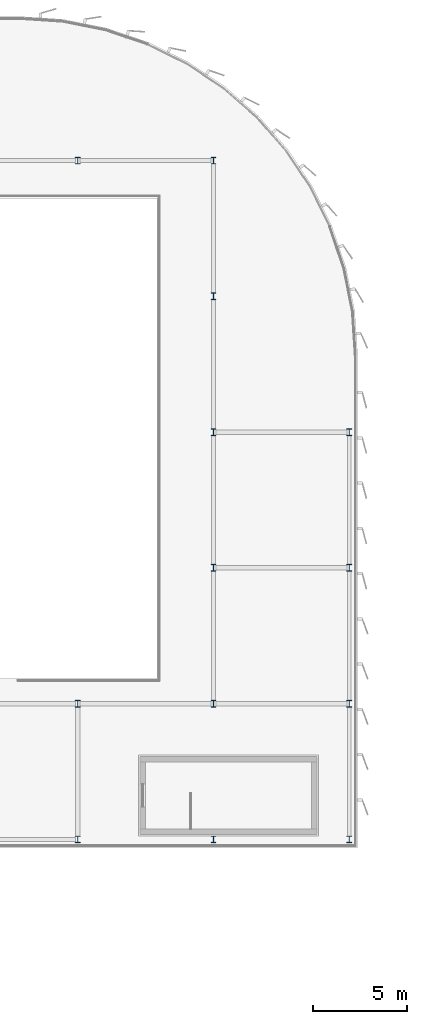
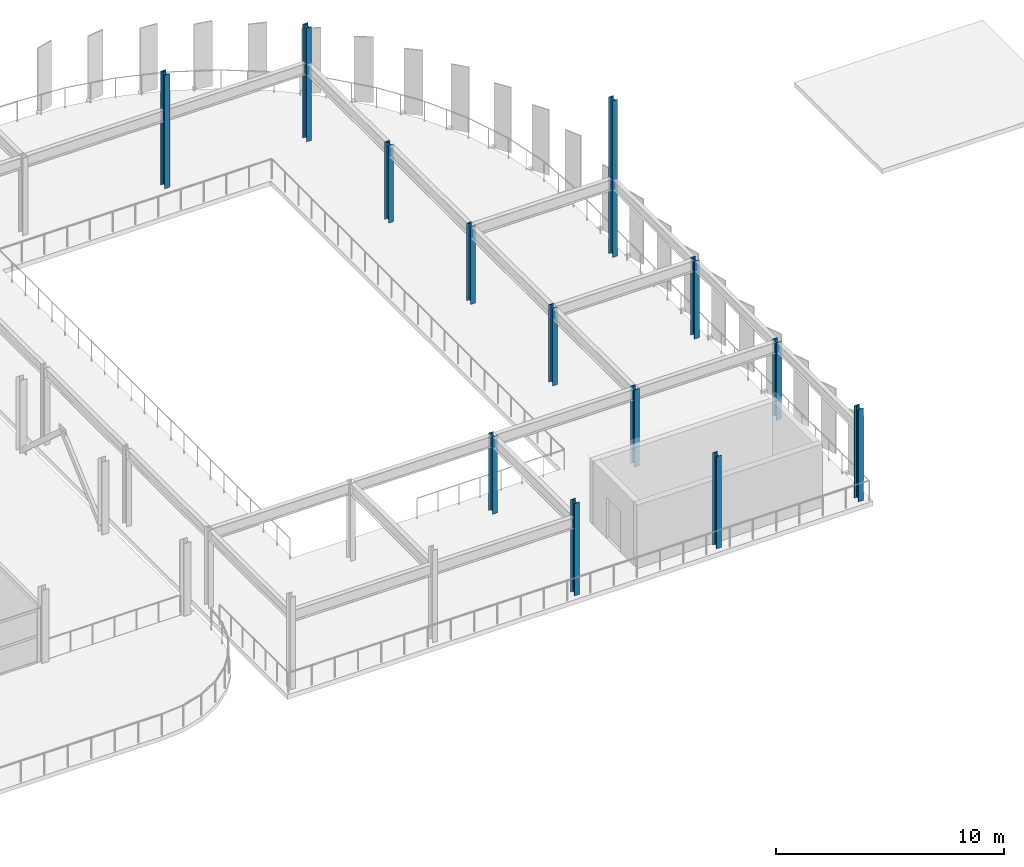
# One storey, part 11 of 40: 13 columns.
"""IFC4 building model written with IfcOpenShell, lengths in metres."""

from ifc_helpers import new_model, si_unit, direction, frame, origin, origin_2d, place, context, subcontext, project, spatial, i_section, extrude, material, material_profile, profile_set, type_object, element, save


model = new_model("IFC4")

# Units and contexts
model_context = context("Model", 3, precision=1e-05, world=origin(), true_north=direction((0.0, 1.0)))
body_context = subcontext(model_context, "Body", "Model", "MODEL_VIEW")
ifc_project = project(units=[si_unit("LENGTHUNIT", "METRE"), si_unit("AREAUNIT", "SQUARE_METRE"), si_unit("VOLUMEUNIT", "CUBIC_METRE"), si_unit("PLANEANGLEUNIT", "RADIAN"), si_unit("MASSUNIT", "GRAM", prefix="KILO")], contexts=[model_context])

# Site, building, storey
site_placement = place(None, origin())
site = spatial("IfcSite", under=ifc_project, at=site_placement, CompositionType="ELEMENT")
building_placement = place(site_placement, origin())
building = spatial("IfcBuilding", under=site, at=building_placement, Name="Vaelcorin Mobility Hub", CompositionType="ELEMENT")
storey_placement = place(building_placement, frame((0.0, 0.0, 17.10009765625)))
storey = spatial("IfcBuildingStorey", under=building, at=storey_placement, Name="L04", CompositionType="ELEMENT", Elevation=17.10009765625)

# Columns
ifc_material = material(Name="Steel ASTM A992 Grade 50", Category="steel")
ifc_material_profile = material_profile(ifc_material, i_section(OverallWidth=0.257080078125, OverallDepth=0.363037109375, WebThickness=0.012939453125, FlangeThickness=0.021728515625, FilletRadius=0.014892578125, at=origin_2d()), Name="W14X82")
ifc_profile_set = profile_set([ifc_material_profile], Name="Steel ASTM A992 Grade 50")
column_type = type_object("IfcColumnType", Name="COL-W14X82", PredefinedType="COLUMN", material=ifc_profile_set)
column_1_placement = place(storey_placement, frame((138.0, 76.800048828125, 0.0), z_axis=(0.0, 0.0, 1.0), x_axis=(1.0, 0.0, 0.0)))
element("IfcColumn", 1, at=column_1_placement, inside=storey, type_object=column_type, Name="Column V2E-G3x1 L04", PredefinedType="COLUMN", context=body_context, shape_type="SweptSolid", body=[
    extrude(i_section(OverallWidth=0.257080078125, OverallDepth=0.363037109375, WebThickness=0.012939453125, FlangeThickness=0.021728515625, FilletRadius=0.014892578125, at=origin_2d()), origin(), (0.0, 0.0, 1.0), 4.94384765625),
])
column_2_placement = place(storey_placement, frame((138.0, 84.0, 0.0), z_axis=(0.0, 0.0, 1.0), x_axis=(1.0, 0.0, 0.0)))
element("IfcColumn", 2, at=column_2_placement, inside=storey, type_object=column_type, Name="Column V2E-G3x2 L04", PredefinedType="COLUMN", context=body_context, shape_type="SweptSolid", body=[
    extrude(i_section(OverallWidth=0.257080078125, OverallDepth=0.363037109375, WebThickness=0.012939453125, FlangeThickness=0.021728515625, FilletRadius=0.014892578125, at=origin_2d()), origin(), (0.0, 0.0, 1.0), 4.14990234375),
])
column_3_placement = place(storey_placement, frame((138.0, 112.800048828125, 0.0), z_axis=(0.0, 0.0, 1.0), x_axis=(1.0, 0.0, 0.0)))
element("IfcColumn", 3, at=column_3_placement, inside=storey, type_object=column_type, Name="Column V2E-G3x6 L04", PredefinedType="COLUMN", context=body_context, shape_type="SweptSolid", body=[
    extrude(i_section(OverallWidth=0.257080078125, OverallDepth=0.363037109375, WebThickness=0.012939453125, FlangeThickness=0.021728515625, FilletRadius=0.014892578125, at=origin_2d()), origin(), (0.0, 0.0, 1.0), 6.095947265625),
])
column_4_placement = place(storey_placement, frame((145.199951171875, 76.800048828125, 0.0), z_axis=(0.0, 0.0, 1.0), x_axis=(1.0, 0.0, 0.0)))
element("IfcColumn", 4, at=column_4_placement, inside=storey, type_object=column_type, Name="Column V2E-G4x1 L04", PredefinedType="COLUMN", context=body_context, shape_type="SweptSolid", body=[
    extrude(i_section(OverallWidth=0.257080078125, OverallDepth=0.363037109375, WebThickness=0.012939453125, FlangeThickness=0.021728515625, FilletRadius=0.014892578125, at=origin_2d()), origin(), (0.0, 0.0, 1.0), 4.94384765625),
])
for number, where, z_axis, x_axis, name in (
    (5, (145.199951171875, 84.0, 0.0), (0.0, 0.0, 1.0), (1.0, 0.0, 0.0), "Column V2E-G4x2 L04"),
    (6, (145.199951171875, 91.199951171875, 0.0), (0.0, 0.0, 1.0), (1.0, 0.0, 0.0), "Column V2E-G4x3 L04"),
    (7, (145.199951171875, 98.39990234375, 0.0), (0.0, 0.0, 1.0), (1.0, 0.0, 0.0), "Column V2E-G4x4 L04"),
    (8, (145.199951171875, 105.60009765625, 0.0), (0.0, 0.0, 1.0), (1.0, 0.0, 0.0), "Column V2E-G4x5 L04"),
):
    element("IfcColumn", number, at=place(storey_placement, frame(where, z_axis=z_axis, x_axis=x_axis)), inside=storey, type_object=column_type, Name=name, PredefinedType="COLUMN", context=body_context, shape_type="SweptSolid", body=[
        extrude(i_section(OverallWidth=0.257080078125, OverallDepth=0.363037109375, WebThickness=0.012939453125, FlangeThickness=0.021728515625, FilletRadius=0.014892578125, at=origin_2d()), origin(), (0.0, 0.0, 1.0), 4.14990234375),
    ])
column_5_placement = place(storey_placement, frame((145.199951171875, 112.800048828125, 0.0), z_axis=(0.0, 0.0, 1.0), x_axis=(1.0, 0.0, 0.0)))
element("IfcColumn", 9, at=column_5_placement, inside=storey, type_object=column_type, Name="Column V2E-G4x6 L04", PredefinedType="COLUMN", context=body_context, shape_type="SweptSolid", body=[
    extrude(i_section(OverallWidth=0.257080078125, OverallDepth=0.363037109375, WebThickness=0.012939453125, FlangeThickness=0.021728515625, FilletRadius=0.014892578125, at=origin_2d()), origin(), (0.0, 0.0, 1.0), 6.095947265625),
])
column_6_placement = place(storey_placement, frame((152.39990234375, 76.800048828125, 0.0), z_axis=(0.0, 0.0, 1.0), x_axis=(1.0, 0.0, 0.0)))
element("IfcColumn", 10, at=column_6_placement, inside=storey, type_object=column_type, Name="Column V2E-G5x1 L04", PredefinedType="COLUMN", context=body_context, shape_type="SweptSolid", body=[
    extrude(i_section(OverallWidth=0.257080078125, OverallDepth=0.363037109375, WebThickness=0.012939453125, FlangeThickness=0.021728515625, FilletRadius=0.014892578125, at=origin_2d()), origin(), (0.0, 0.0, 1.0), 4.94384765625),
])
for number, where, z_axis, x_axis, name in (
    (11, (152.39990234375, 84.0, 0.0), (0.0, 0.0, 1.0), (1.0, 0.0, 0.0), "Column V2E-G5x2 L04"),
    (12, (152.39990234375, 91.199951171875, 0.0), (0.0, 0.0, 1.0), (1.0, 0.0, 0.0), "Column V2E-G5x3 L04"),
):
    element("IfcColumn", number, at=place(storey_placement, frame(where, z_axis=z_axis, x_axis=x_axis)), inside=storey, type_object=column_type, Name=name, PredefinedType="COLUMN", context=body_context, shape_type="SweptSolid", body=[
        extrude(i_section(OverallWidth=0.257080078125, OverallDepth=0.363037109375, WebThickness=0.012939453125, FlangeThickness=0.021728515625, FilletRadius=0.014892578125, at=origin_2d()), origin(), (0.0, 0.0, 1.0), 4.14990234375),
    ])
column_7_placement = place(storey_placement, frame((152.39990234375, 98.39990234375, 0.0), z_axis=(0.0, 0.0, 1.0), x_axis=(1.0, 0.0, 0.0)))
element("IfcColumn", 13, at=column_7_placement, inside=storey, type_object=column_type, Name="Column V2E-G5x4 L04", PredefinedType="COLUMN", context=body_context, shape_type="SweptSolid", body=[
    extrude(i_section(OverallWidth=0.257080078125, OverallDepth=0.363037109375, WebThickness=0.012939453125, FlangeThickness=0.021728515625, FilletRadius=0.014892578125, at=origin_2d()), origin(), (0.0, 0.0, 1.0), 8.39990234375),
])

save(model, "model.ifc")
